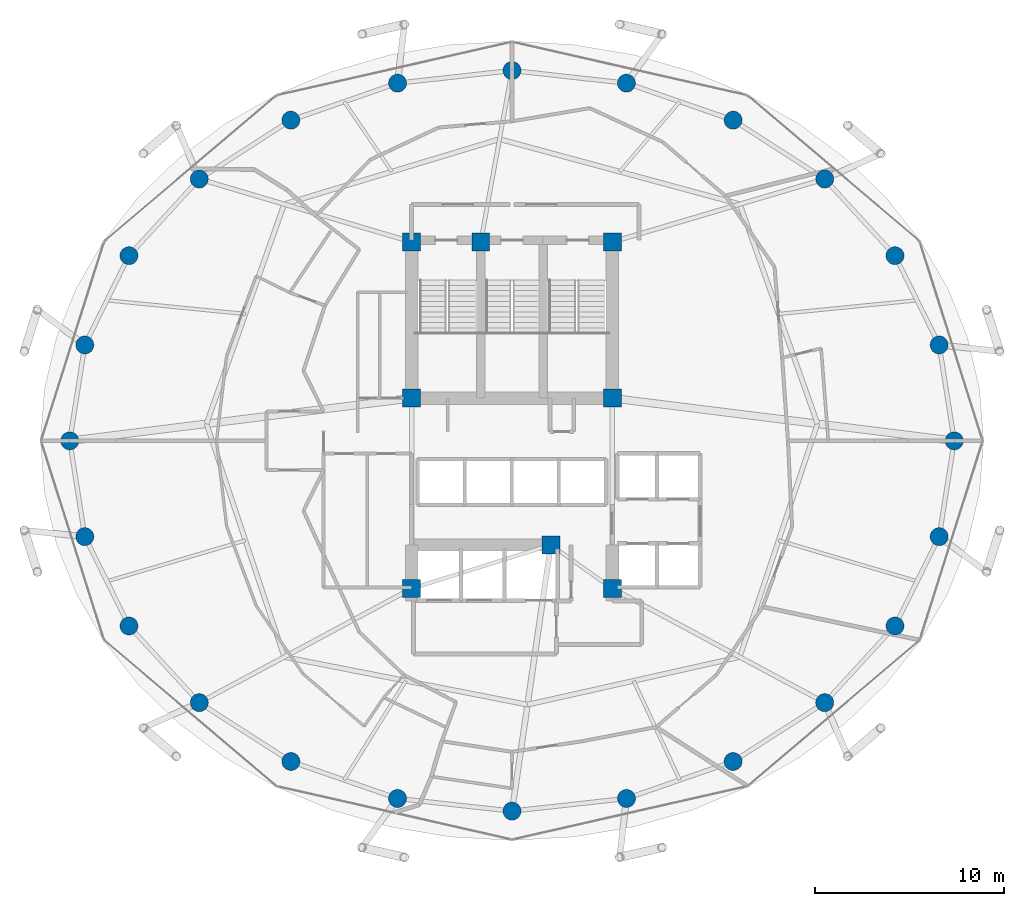
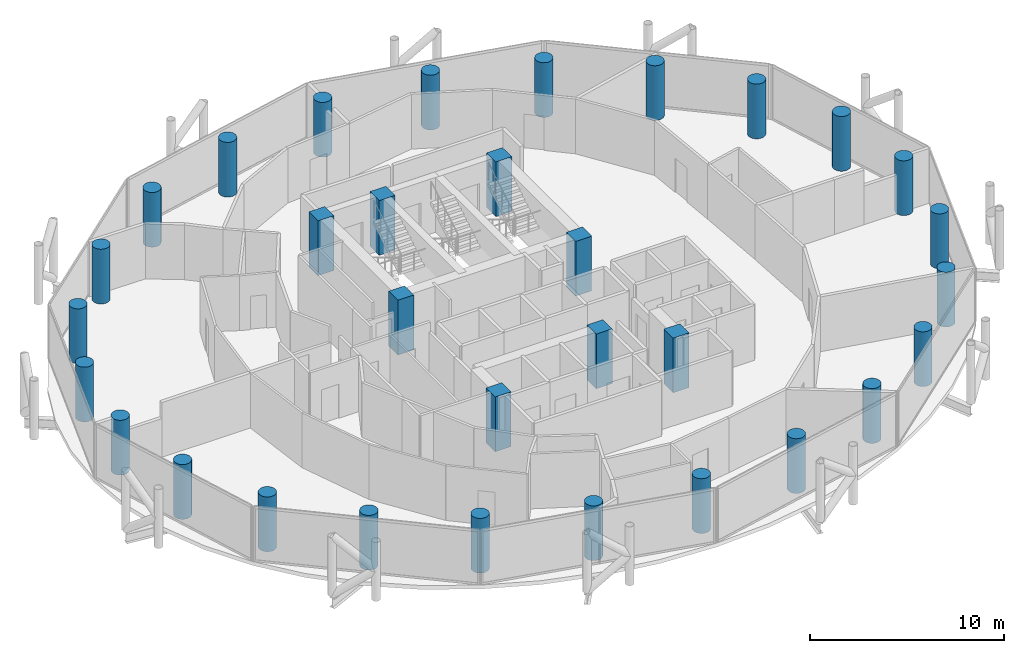
# One storey, part 1 of 26: 32 columns.
"""IFC4 building model written with IfcOpenShell, lengths in metres."""

from ifc_helpers import new_model, si_unit, direction, frame, origin, origin_2d, place, context, subcontext, project, spatial, rectangle, circle, extrude, material, material_profile, profile_set, type_object, element, save


model = new_model("IFC4")

# Units and contexts
model_context = context("Model", 3, precision=1e-05, world=origin(), true_north=direction((0.0, 1.0)))
body_context = subcontext(model_context, "Body", "Model", "MODEL_VIEW")
ifc_project = project(units=[si_unit("LENGTHUNIT", "METRE"), si_unit("AREAUNIT", "SQUARE_METRE"), si_unit("VOLUMEUNIT", "CUBIC_METRE"), si_unit("PLANEANGLEUNIT", "RADIAN"), si_unit("MASSUNIT", "GRAM", prefix="KILO")], contexts=[model_context])

# Site, building, storey
site_placement = place(None, origin())
site = spatial("IfcSite", under=ifc_project, at=site_placement, CompositionType="ELEMENT")
building_placement = place(site_placement, origin())
building = spatial("IfcBuilding", under=site, at=building_placement, Name="Nuhasar Tower", CompositionType="ELEMENT")
storey_placement = place(building_placement, frame((0.0, 0.0, 173.75)))
storey = spatial("IfcBuildingStorey", under=building, at=storey_placement, Name="L42", CompositionType="ELEMENT", Elevation=173.75)

# Columns
ifc_material = material(Name="Concrete C65/80", Category="concrete")
ifc_material_profile_1 = material_profile(ifc_material, circle(Radius=0.47509765625, at=origin_2d()), Name="CFT950")
ifc_profile_set_1 = profile_set([ifc_material_profile_1], Name="Concrete C65/80")
column_type_1 = type_object("IfcColumnType", Name="COL-CFT-950", PredefinedType="COLUMN", material=ifc_profile_set_1)
for number, where, z_axis, x_axis, name in (
    (1, (62.35009765625, 26.800048828125, 0.0), (0.0, 0.0, 1.0), (1.0, 0.0, 0.0), "L42 Perimeter Composite Column TC-01"),
    (2, (61.553955078125, 31.860107421875, 0.0), (0.0, 0.0, 1.0), (1.0, 0.0, 0.0), "L42 Perimeter Composite Column TC-02"),
    (3, (59.221923828125, 36.574951171875, 0.0), (0.0, 0.0, 1.0), (1.0, 0.0, 0.0), "L42 Perimeter Composite Column TC-03"),
    (4, (55.510986328125, 40.6240234375, 0.0), (0.0, 0.0, 1.0), (1.0, 0.0, 0.0), "L42 Perimeter Composite Column TC-04"),
    (5, (50.675048828125, 43.73095703125, 0.0), (0.0, 0.0, 1.0), (1.0, 0.0, 0.0), "L42 Perimeter Composite Column TC-05"),
    (6, (45.04296875, 45.68408203125, 0.0), (0.0, 0.0, 1.0), (1.0, 0.0, 0.0), "L42 Perimeter Composite Column TC-06"),
    (7, (39.0, 46.35009765625, 0.0), (0.0, 0.0, 1.0), (1.0, 0.0, 0.0), "L42 Perimeter Composite Column TC-07"),
    (8, (32.95703125, 45.68408203125, 0.0), (0.0, 0.0, 1.0), (1.0, 0.0, 0.0), "L42 Perimeter Composite Column TC-08"),
    (9, (27.324951171875, 43.73095703125, 0.0), (0.0, 0.0, 1.0), (1.0, 0.0, 0.0), "L42 Perimeter Composite Column TC-09"),
    (10, (22.489013671875, 40.6240234375, 0.0), (0.0, 0.0, 1.0), (1.0, 0.0, 0.0), "L42 Perimeter Composite Column TC-10"),
    (11, (18.778076171875, 36.574951171875, 0.0), (0.0, 0.0, 1.0), (1.0, 0.0, 0.0), "L42 Perimeter Composite Column TC-11"),
    (12, (16.446044921875, 31.860107421875, 0.0), (0.0, 0.0, 1.0), (1.0, 0.0, 0.0), "L42 Perimeter Composite Column TC-12"),
    (13, (15.64990234375, 26.800048828125, 0.0), (0.0, 0.0, 1.0), (1.0, 0.0, 0.0), "L42 Perimeter Composite Column TC-13"),
    (14, (16.446044921875, 21.739990234375, 0.0), (0.0, 0.0, 1.0), (1.0, 0.0, 0.0), "L42 Perimeter Composite Column TC-14"),
    (15, (18.778076171875, 17.02490234375, 0.0), (0.0, 0.0, 1.0), (1.0, 0.0, 0.0), "L42 Perimeter Composite Column TC-15"),
    (16, (22.489013671875, 12.97607421875, 0.0), (0.0, 0.0, 1.0), (1.0, 0.0, 0.0), "L42 Perimeter Composite Column TC-16"),
    (17, (27.324951171875, 9.868896484375, 0.0), (0.0, 0.0, 1.0), (1.0, 0.0, 0.0), "L42 Perimeter Composite Column TC-17"),
    (18, (32.95703125, 7.916015625, 0.0), (0.0, 0.0, 1.0), (1.0, 0.0, 0.0), "L42 Perimeter Composite Column TC-18"),
    (19, (39.0, 7.25, 0.0), (0.0, 0.0, 1.0), (1.0, 0.0, 0.0), "L42 Perimeter Composite Column TC-19"),
    (20, (45.04296875, 7.916015625, 0.0), (0.0, 0.0, 1.0), (1.0, 0.0, 0.0), "L42 Perimeter Composite Column TC-20"),
    (21, (50.675048828125, 9.868896484375, 0.0), (0.0, 0.0, 1.0), (1.0, 0.0, 0.0), "L42 Perimeter Composite Column TC-21"),
    (22, (55.510986328125, 12.97607421875, 0.0), (0.0, 0.0, 1.0), (1.0, 0.0, 0.0), "L42 Perimeter Composite Column TC-22"),
    (23, (59.221923828125, 17.02490234375, 0.0), (0.0, 0.0, 1.0), (1.0, 0.0, 0.0), "L42 Perimeter Composite Column TC-23"),
    (24, (61.553955078125, 21.739990234375, 0.0), (0.0, 0.0, 1.0), (1.0, 0.0, 0.0), "L42 Perimeter Composite Column TC-24"),
):
    element("IfcColumn", number, at=place(storey_placement, frame(where, z_axis=z_axis, x_axis=x_axis)), inside=storey, type_object=column_type_1, Name=name, PredefinedType="COLUMN", context=body_context, shape_type="SweptSolid", body=[
        extrude(circle(Radius=0.47509765625, at=origin_2d()), origin(), (0.0, 0.0, 1.0), 3.449951171875),
    ])
ifc_material_profile_2 = material_profile(ifc_material, rectangle(XDim=0.949951171875, YDim=0.949951171875, at=origin_2d()), Name="RC950X950")
ifc_profile_set_2 = profile_set([ifc_material_profile_2], Name="Concrete C65/80")
column_type_2 = type_object("IfcColumnType", Name="PIL-RC-950", PredefinedType="PILASTER", material=ifc_profile_set_2)
for number, where, z_axis, x_axis, name in (
    (25, (33.699951171875, 19.0, 0.0), (0.0, 0.0, 1.0), (1.0, 0.0, 0.0), "L42 Core Boundary Pilaster CC-01"),
    (26, (41.050048828125, 21.300048828125, 0.0), (0.0, 0.0, 1.0), (1.0, 0.0, 0.0), "L42 Core Boundary Pilaster CC-02"),
    (27, (44.300048828125, 19.0, 0.0), (0.0, 0.0, 1.0), (1.0, 0.0, 0.0), "L42 Core Boundary Pilaster CC-03"),
    (28, (44.300048828125, 29.050048828125, 0.0), (0.0, 0.0, 1.0), (1.0, 0.0, 0.0), "L42 Core Boundary Pilaster CC-04"),
    (29, (44.300048828125, 37.300048828125, 0.0), (0.0, 0.0, 1.0), (1.0, 0.0, 0.0), "L42 Core Boundary Pilaster CC-05"),
    (30, (37.35009765625, 37.300048828125, 0.0), (0.0, 0.0, 1.0), (1.0, 0.0, 0.0), "L42 Core Boundary Pilaster CC-06"),
    (31, (33.699951171875, 37.300048828125, 0.0), (0.0, 0.0, 1.0), (1.0, 0.0, 0.0), "L42 Core Boundary Pilaster CC-07"),
    (32, (33.699951171875, 29.050048828125, 0.0), (0.0, 0.0, 1.0), (1.0, 0.0, 0.0), "L42 Core Boundary Pilaster CC-08"),
):
    element("IfcColumn", number, at=place(storey_placement, frame(where, z_axis=z_axis, x_axis=x_axis)), inside=storey, type_object=column_type_2, Name=name, PredefinedType="PILASTER", context=body_context, shape_type="SweptSolid", body=[
        extrude(rectangle(XDim=0.949951171875, YDim=0.949951171875, at=origin_2d()), origin(), (0.0, 0.0, 1.0), 3.449951171875),
    ])

save(model, "model.ifc")
